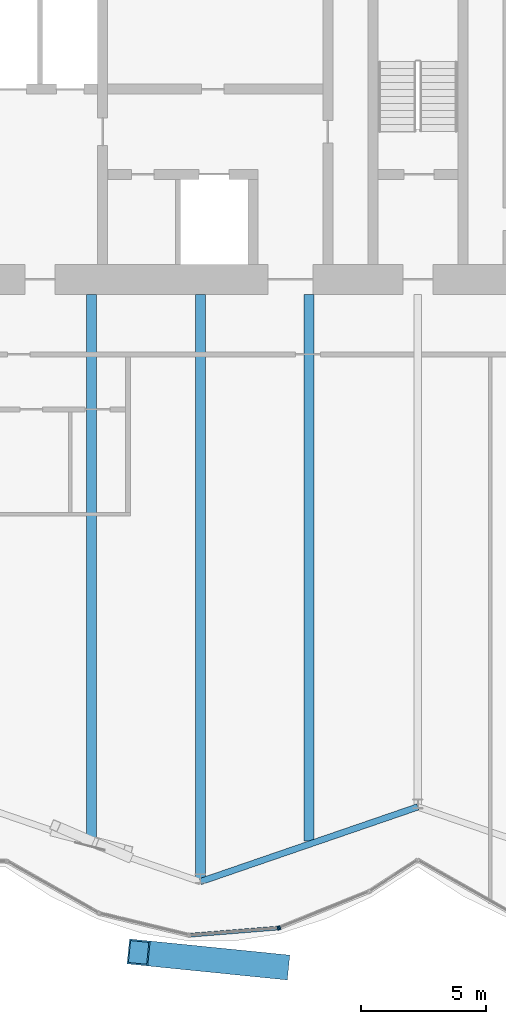
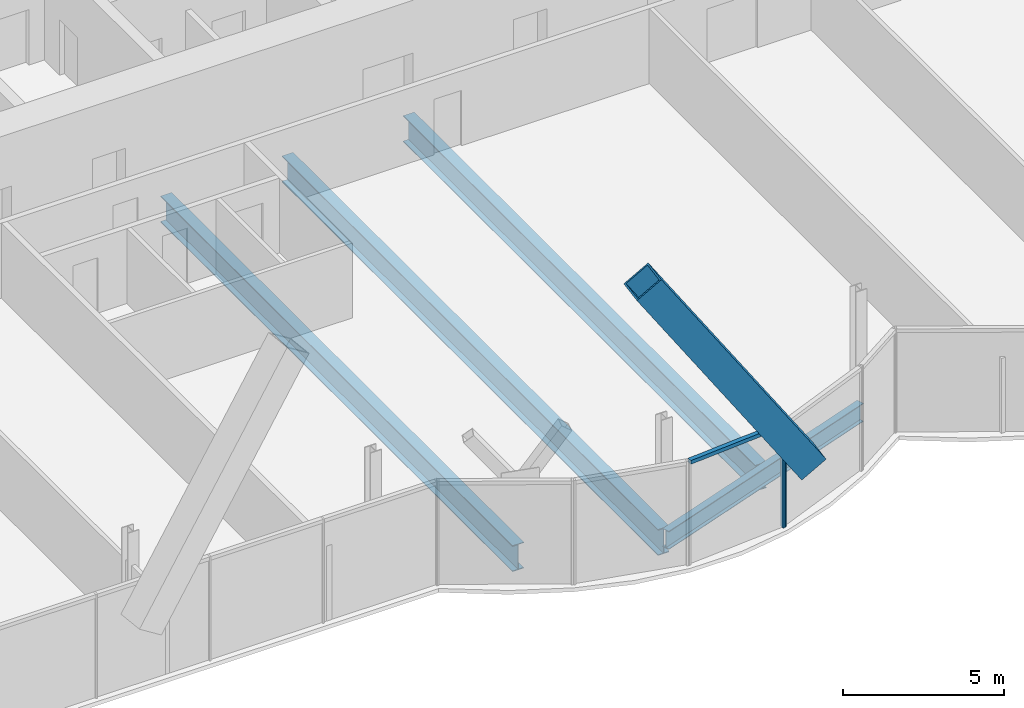
# One storey, part 6 of 22: 4 beams, 4 members, 1 element without a shape of its own.
"""IFC4 building model written with IfcOpenShell, lengths in metres."""

from ifc_helpers import new_model, si_unit, direction, frame, origin, origin_2d, place, context, subcontext, project, spatial, rectangle, hollow_rectangle, i_section, extrude, material, material_profile, profile_set, type_object, element, aggregate, save


model = new_model("IFC4")

# Units and contexts
model_context = context("Model", 3, precision=1e-05, world=origin(), true_north=direction((0.0, 1.0)))
body_context = subcontext(model_context, "Body", "Model", "MODEL_VIEW")
ifc_project = project(units=[si_unit("LENGTHUNIT", "METRE"), si_unit("AREAUNIT", "SQUARE_METRE"), si_unit("VOLUMEUNIT", "CUBIC_METRE"), si_unit("PLANEANGLEUNIT", "RADIAN"), si_unit("MASSUNIT", "GRAM", prefix="KILO")], contexts=[model_context])

# Site, building, storey
site_placement = place(None, origin())
site = spatial("IfcSite", under=ifc_project, at=site_placement, CompositionType="ELEMENT")
building_placement = place(site_placement, origin())
building = spatial("IfcBuilding", under=site, at=building_placement, Name="Bicima Exchange Tower", CompositionType="ELEMENT")
storey_placement = place(building_placement, frame((0.0, 0.0, 144.5)))
storey = spatial("IfcBuildingStorey", under=building, at=storey_placement, Name="L31", CompositionType="ELEMENT", Elevation=144.5)

# Member
ifc_material_1 = material(Name="Steel ASTM A572 Gr 50", Category="steel")
ifc_material_profile_1 = material_profile(ifc_material_1, hollow_rectangle(XDim=1.0, YDim=1.0, WallThickness=0.06005859375, at=origin_2d()))
ifc_profile_set_1 = profile_set([ifc_material_profile_1], Name="Steel ASTM A572 Gr 50")
member_type_1 = type_object("IfcMemberType", Name="Exo mega brace BOX 1000x1000x60", PredefinedType="BRACE", material=ifc_profile_set_1)
member_1_placement = place(storey_placement, frame((-5.583251953125, -39.88330078125, 3.416748046875), z_axis=(-0.551958035604, 0.055606091562, 0.832015798837), x_axis=(-0.10023595765, -0.994963694209, 0.0)))
element("IfcMember", 1, at=member_1_placement, inside=storey, type_object=member_type_1, Name="Exo mega brace front", PredefinedType="BRACE", context=body_context, shape_type="SweptSolid", body=[
    extrude(hollow_rectangle(XDim=1.0, YDim=1.0, WallThickness=0.06005859375, at=origin_2d()), origin(), (0.0, 0.0, 1.0), 10.11572265625),
])

# Beams
ifc_material_2 = material(Name="Steel ASTM A992 Gr 50", Category="steel")
ifc_material_profile_2 = material_profile(ifc_material_2, i_section(OverallWidth=0.4013671875, OverallDepth=0.990478515625, WebThickness=0.0166015625, FlangeThickness=0.031005859375, at=origin_2d()))
ifc_profile_set_2 = profile_set([ifc_material_profile_2], Name="Steel ASTM A992 Gr 50")
beam_type_1 = type_object("IfcBeamType", Name="Floor beam W40x215", PredefinedType="JOIST", material=ifc_profile_set_2)
beam_1_placement = place(storey_placement, frame((-13.050048828125, -13.0, -0.645263671875), z_axis=(0.0, -1.0, 0.0), x_axis=(1.0, 0.0, 0.0)))
element("IfcBeam", 2, at=beam_1_placement, inside=storey, type_object=beam_type_1, Name="Floor beam", PredefinedType="JOIST", context=body_context, shape_type="SweptSolid", body=[
    extrude(i_section(OverallWidth=0.4013671875, OverallDepth=0.990478515625, WebThickness=0.0166015625, FlangeThickness=0.031005859375, at=origin_2d()), origin(), (0.0, 0.0, 1.0), 21.85986328125),
])
beam_2_placement = place(storey_placement, frame((-8.699951171875, -13.0, -0.645263671875), z_axis=(0.0, -1.0, 0.0), x_axis=(1.0, 0.0, 0.0)))
element("IfcBeam", 3, at=beam_2_placement, inside=storey, type_object=beam_type_1, Name="Floor beam", PredefinedType="JOIST", context=body_context, shape_type="SweptSolid", body=[
    extrude(i_section(OverallWidth=0.4013671875, OverallDepth=0.990478515625, WebThickness=0.0166015625, FlangeThickness=0.031005859375, at=origin_2d()), origin(), (0.0, 0.0, 1.0), 23.35546875),
])
beam_3_placement = place(storey_placement, frame((-4.35009765625, -13.0, -0.645263671875), z_axis=(0.0, -1.0, 0.0), x_axis=(1.0, 0.0, 0.0)))
element("IfcBeam", 4, at=beam_3_placement, inside=storey, type_object=beam_type_1, Name="Floor beam", PredefinedType="JOIST", context=body_context, shape_type="SweptSolid", body=[
    extrude(i_section(OverallWidth=0.4013671875, OverallDepth=0.990478515625, WebThickness=0.0166015625, FlangeThickness=0.031005859375, at=origin_2d()), origin(), (0.0, 0.0, 1.0), 21.85986328125),
])
ifc_material_profile_3 = material_profile(ifc_material_2, i_section(OverallWidth=0.256591796875, OverallDepth=0.693359375, WebThickness=0.014404296875, FlangeThickness=0.023681640625, at=origin_2d()))
ifc_profile_set_3 = profile_set([ifc_material_profile_3], Name="Steel ASTM A992 Gr 50")
beam_type_2 = type_object("IfcBeamType", Name="Front girder W27x114", PredefinedType="BEAM", material=ifc_profile_set_3)
beam_4_placement = place(storey_placement, frame((-8.699951171875, -36.4912109375, -0.49658203125), z_axis=(0.945666456746, 0.325138359143, 0.0), x_axis=(-0.325138359143, 0.945666456746, 0.0)))
element("IfcBeam", 5, at=beam_4_placement, inside=storey, type_object=beam_type_2, Name="Front girder", PredefinedType="BEAM", context=body_context, shape_type="SweptSolid", body=[
    extrude(i_section(OverallWidth=0.256591796875, OverallDepth=0.693359375, WebThickness=0.014404296875, FlangeThickness=0.023681640625, at=origin_2d()), origin(), (0.0, 0.0, 1.0), 9.19970703125),
])

# Curtain wall, members
ifc_material_3 = material(Name="Anodised bronze aluminium", Category="aluminium")
curtain_wall_type = type_object("IfcCurtainWallType", Name="Front glass wall", PredefinedType="NOTDEFINED", material=ifc_material_3)
curtain_wall_placement = place(storey_placement, origin())
curtain_wall = element("IfcCurtainWall", 6, at=curtain_wall_placement, inside=storey, type_object=curtain_wall_type, Name="Front glass wall L31 run 6", PredefinedType="NOTDEFINED")
ifc_material_profile_4 = material_profile(ifc_material_3, rectangle(XDim=0.159912109375, YDim=0.06005859375, at=origin_2d()))
ifc_profile_set_4 = profile_set([ifc_material_profile_4], Name="Anodised bronze aluminium")
member_type_2 = type_object("IfcMemberType", Name="Front glass wall mullion 60 x 160", PredefinedType="MULLION", material=ifc_profile_set_4)
member_2_placement = place(storey_placement, frame((-5.583984375, -38.3447265625, 0.0), z_axis=(0.0, 0.0, 1.0), x_axis=(-0.080588612633, 0.99674744821, 0.0)))
member_2 = element("IfcMember", 7, at=member_2_placement, type_object=member_type_2, Name="Front glass wall mullion 2", PredefinedType="MULLION", context=body_context, shape_type="SweptSolid", body=[
    extrude(rectangle(XDim=0.159912109375, YDim=0.06005859375, at=origin_2d()), origin(), (0.0, 0.0, 1.0), 3.949951171875),
])
member_3_placement = place(storey_placement, frame((-5.526123046875, -38.331298828125, 0.0), z_axis=(0.0, 0.0, 1.0), x_axis=(-0.374705304, 0.92714396679, 0.0)))
member_3 = element("IfcMember", 8, at=member_3_placement, type_object=member_type_2, Name="Front glass wall mullion 1", PredefinedType="MULLION", context=body_context, shape_type="SweptSolid", body=[
    extrude(rectangle(XDim=0.159912109375, YDim=0.06005859375, at=origin_2d()), origin(), (0.0, 0.0, 1.0), 3.949951171875),
])
ifc_material_profile_5 = material_profile(ifc_material_3, rectangle(XDim=0.159912109375, YDim=0.139892578125, at=origin_2d()))
ifc_profile_set_5 = profile_set([ifc_material_profile_5], Name="Anodised bronze aluminium")
member_type_3 = type_object("IfcMemberType", Name="Front glass wall transom 140 x 160", PredefinedType="USERDEFINED", material=ifc_profile_set_5)
member_4_placement = place(storey_placement, frame((-9.08837890625, -38.628173828125, 3.8798828125), z_axis=(0.9967456465, 0.080610893699, 0.0), x_axis=(-0.080610893699, 0.9967456465, 0.0)))
member_4 = element("IfcMember", 9, at=member_4_placement, type_object=member_type_3, Name="Front glass wall transom 1.1", ObjectType="TRANSOM", PredefinedType="USERDEFINED", context=body_context, shape_type="SweptSolid", body=[
    extrude(rectangle(XDim=0.159912109375, YDim=0.139892578125, at=origin_2d()), origin(), (0.0, 0.0, 1.0), 3.48583984375),
])
aggregate(curtain_wall, [member_2, member_4, member_3])

save(model, "model.ifc")
